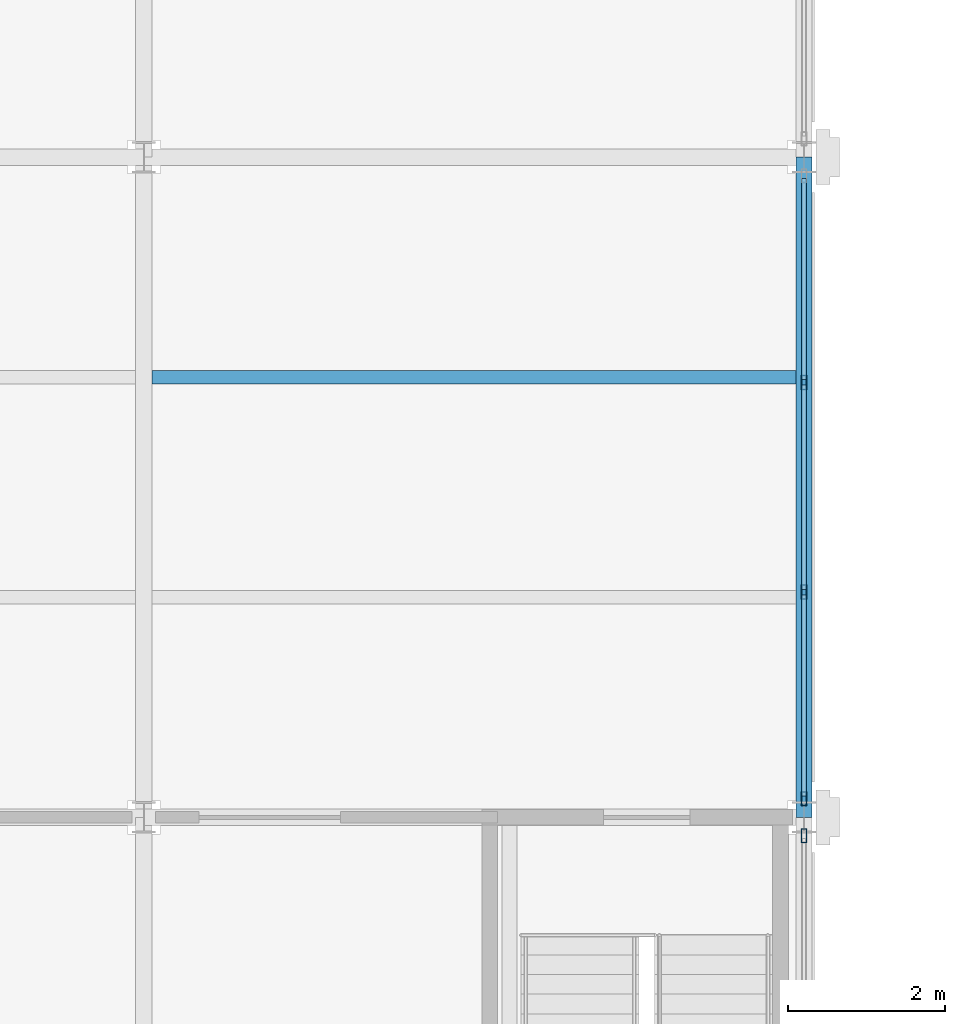
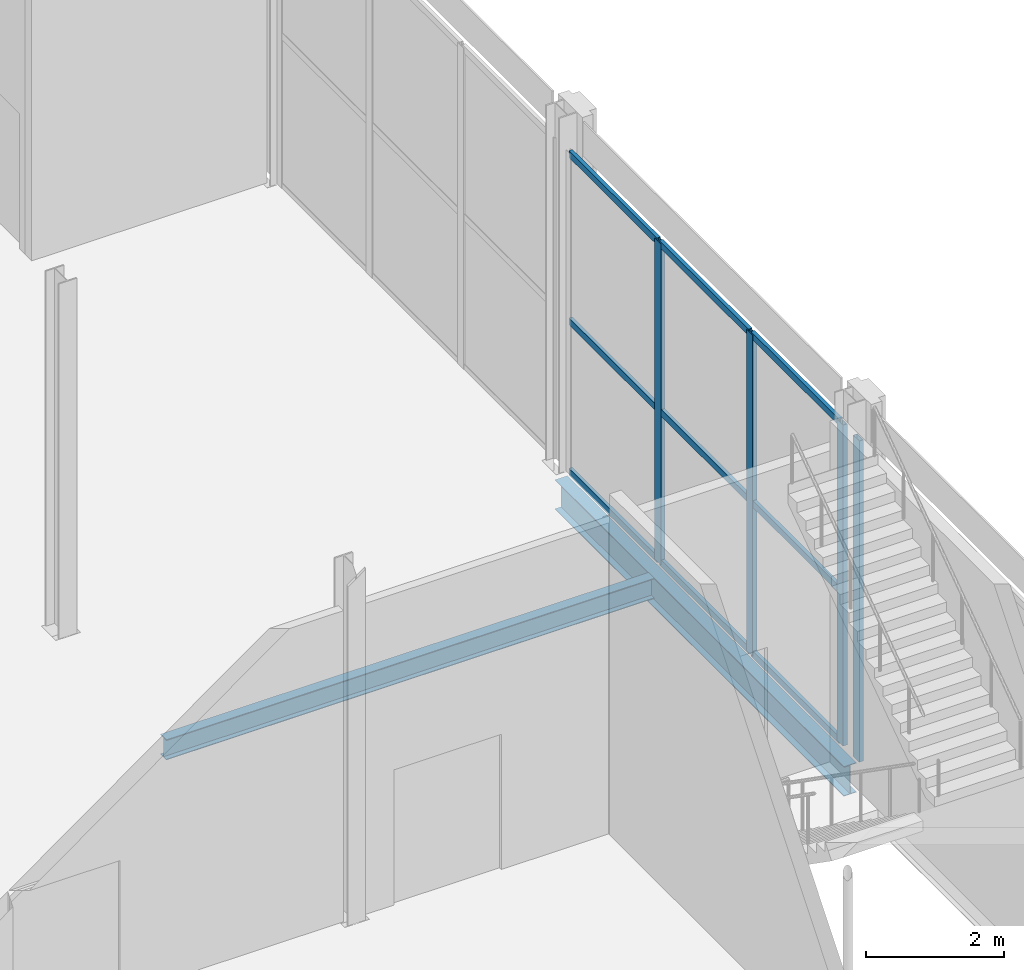
# One storey, part 34 of 77: 13 members, 2 beams, 2 elements without a shape of their own.
"""IFC4 building model written with IfcOpenShell, lengths in metres."""

from ifc_helpers import new_model, si_unit, direction, frame, origin, origin_2d, place, context, subcontext, project, spatial, hollow_rectangle, i_section, extrude, material, material_profile, profile_set, type_object, element, aggregate, save


model = new_model("IFC4")

# Units and contexts
model_context = context("Model", 3, precision=1e-05, world=origin(), true_north=direction((0.0, 1.0)))
body_context = subcontext(model_context, "Body", "Model", "MODEL_VIEW")
ifc_project = project(units=[si_unit("LENGTHUNIT", "METRE"), si_unit("AREAUNIT", "SQUARE_METRE"), si_unit("VOLUMEUNIT", "CUBIC_METRE"), si_unit("PLANEANGLEUNIT", "RADIAN"), si_unit("MASSUNIT", "GRAM", prefix="KILO")], contexts=[model_context])

# Site, building, storey
site_placement = place(None, origin())
site = spatial("IfcSite", under=ifc_project, at=site_placement, CompositionType="ELEMENT")
building_placement = place(site_placement, origin())
building = spatial("IfcBuilding", under=site, at=building_placement, Name="Catenary Quay Ferry Terminal", CompositionType="ELEMENT")
storey_placement = place(building_placement, frame((0.0, 0.0, 10.800048828125)))
storey = spatial("IfcBuildingStorey", under=building, at=storey_placement, Name="L02", CompositionType="ELEMENT", Elevation=10.800048828125)

# Beams
ifc_material_1 = material(Name="Steel S355", Category="steel")
ifc_material_profile_1 = material_profile(ifc_material_1, i_section(OverallWidth=0.208740234375, OverallDepth=0.5283203125, WebThickness=0.009521484375, FlangeThickness=0.01318359375, at=origin_2d()), Name="UB 533x210x82")
ifc_profile_set_1 = profile_set([ifc_material_profile_1], Name="Steel S355")
beam_type_1 = type_object("IfcBeamType", Name="B5 UB 533x210x82", PredefinedType="BEAM", material=ifc_profile_set_1)
beam_1_placement = place(storey_placement, frame((67.199951171875, 176.39990234375, -0.51416015625), z_axis=(0.0, 1.0, 0.0), x_axis=(-1.0, 0.0, 0.0)))
element("IfcBeam", 1, at=beam_1_placement, inside=storey, type_object=beam_type_1, Name="Beam B5-046", PredefinedType="BEAM", context=body_context, shape_type="SweptSolid", body=[
    extrude(i_section(OverallWidth=0.208740234375, OverallDepth=0.5283203125, WebThickness=0.009521484375, FlangeThickness=0.01318359375, at=origin_2d()), origin(), (0.0, 0.0, 1.0), 8.400146484375),
])
ifc_material_2 = material(Name="Steel S355", Category="steel")
ifc_material_profile_2 = material_profile(ifc_material_2, i_section(OverallWidth=0.169921875, OverallDepth=0.360107421875, WebThickness=0.008056640625, FlangeThickness=0.0126953125, at=origin_2d()), Name="IPE 360")
ifc_profile_set_2 = profile_set([ifc_material_profile_2], Name="Steel S355")
beam_type_2 = type_object("IfcBeamType", Name="B7 IPE 360", PredefinedType="BEAM", material=ifc_profile_set_2)
beam_2_placement = place(storey_placement, frame((58.904052734375, 182.0, -0.429931640625), z_axis=(1.0, 0.0, 0.0), x_axis=(0.0, 1.0, 0.0)))
element("IfcBeam", 2, at=beam_2_placement, inside=storey, type_object=beam_type_2, Name="Beam B7-024", PredefinedType="BEAM", context=body_context, shape_type="SweptSolid", body=[
    extrude(i_section(OverallWidth=0.169921875, OverallDepth=0.360107421875, WebThickness=0.008056640625, FlangeThickness=0.0126953125, at=origin_2d()), origin(), (0.0, 0.0, 1.0), 8.19189453125),
])

# Curtain wall, member
ifc_material_3 = material(Name="Aluminium and glass", Category="aluminium")
curtain_wall_type = type_object("IfcCurtainWallType", Name="CWW2", PredefinedType="NOTDEFINED", material=ifc_material_3)
curtain_wall_1_placement = place(storey_placement, origin())
curtain_wall_1 = element("IfcCurtainWall", 3, at=curtain_wall_1_placement, inside=storey, type_object=curtain_wall_type, Name="Wing curtain wall CW131", PredefinedType="NOTDEFINED")
ifc_material_4 = material(Name="Aluminium", Category="aluminium")
ifc_material_profile_3 = material_profile(ifc_material_4, hollow_rectangle(XDim=0.070068359375, YDim=0.179931640625, WallThickness=0.006103515625, at=origin_2d()), Name="MU3")
ifc_profile_set_3 = profile_set([ifc_material_profile_3], Name="Aluminium")
member_type_1 = type_object("IfcMemberType", Name="MU3", PredefinedType="MULLION", material=ifc_profile_set_3)
member_1_placement = place(storey_placement, frame((67.199951171875, 176.1650390625, 0.0), z_axis=(0.0, 0.0, 1.0), x_axis=(-1.0, 0.0, 0.0)))
member_1 = element("IfcMember", 4, at=member_1_placement, type_object=member_type_1, Name="CW131 mullion 4", PredefinedType="MULLION", context=body_context, shape_type="SweptSolid", body=[
    extrude(hollow_rectangle(XDim=0.070068359375, YDim=0.179931640625, WallThickness=0.006103515625, at=origin_2d()), origin(), (0.0, 0.0, 1.0), 5.699951171875),
])
aggregate(curtain_wall_1, [member_1])

# Curtain wall, members
curtain_wall_2_placement = place(storey_placement, origin())
curtain_wall_2 = element("IfcCurtainWall", 5, at=curtain_wall_2_placement, inside=storey, type_object=curtain_wall_type, Name="Wing curtain wall CW132", PredefinedType="NOTDEFINED")
member_2_placement = place(storey_placement, frame((67.199951171875, 176.635009765625, 0.0), z_axis=(0.0, 0.0, 1.0), x_axis=(-1.0, 0.0, 0.0)))
member_2 = element("IfcMember", 6, at=member_2_placement, type_object=member_type_1, Name="CW132 mullion 1", PredefinedType="MULLION", context=body_context, shape_type="SweptSolid", body=[
    extrude(hollow_rectangle(XDim=0.070068359375, YDim=0.179931640625, WallThickness=0.006103515625, at=origin_2d()), origin(), (0.0, 0.0, 1.0), 5.699951171875),
])
member_3_placement = place(storey_placement, frame((67.199951171875, 179.2666015625, 0.0), z_axis=(0.0, 0.0, 1.0), x_axis=(-1.0, 0.0, 0.0)))
member_3 = element("IfcMember", 7, at=member_3_placement, type_object=member_type_1, Name="CW132 mullion 2", PredefinedType="MULLION", context=body_context, shape_type="SweptSolid", body=[
    extrude(hollow_rectangle(XDim=0.070068359375, YDim=0.179931640625, WallThickness=0.006103515625, at=origin_2d()), origin(), (0.0, 0.0, 1.0), 5.699951171875),
])
member_4_placement = place(storey_placement, frame((67.199951171875, 181.933349609375, 0.0), z_axis=(0.0, 0.0, 1.0), x_axis=(-1.0, 0.0, 0.0)))
member_4 = element("IfcMember", 8, at=member_4_placement, type_object=member_type_1, Name="CW132 mullion 3", PredefinedType="MULLION", context=body_context, shape_type="SweptSolid", body=[
    extrude(hollow_rectangle(XDim=0.070068359375, YDim=0.179931640625, WallThickness=0.006103515625, at=origin_2d()), origin(), (0.0, 0.0, 1.0), 5.699951171875),
])
ifc_material_5 = material(Name="Aluminium", Category="aluminium")
ifc_material_profile_4 = material_profile(ifc_material_5, hollow_rectangle(XDim=0.06005859375, YDim=0.1201171875, WallThickness=0.0048828125, at=origin_2d()), Name="TR3")
ifc_profile_set_4 = profile_set([ifc_material_profile_4], Name="Aluminium")
member_type_2 = type_object("IfcMemberType", Name="TR3", PredefinedType="USERDEFINED", material=ifc_profile_set_4)
member_5_placement = place(storey_placement, frame((67.199951171875, 176.669921875, 0.030029296875), z_axis=(0.0, 1.0, 0.0), x_axis=(-1.0, 0.0, 0.0)))
member_5 = element("IfcMember", 9, at=member_5_placement, type_object=member_type_2, Name="CW132 transom 1.1", ObjectType="TRANSOM", PredefinedType="USERDEFINED", context=body_context, shape_type="SweptSolid", body=[
    extrude(hollow_rectangle(XDim=0.06005859375, YDim=0.1201171875, WallThickness=0.0048828125, at=origin_2d()), origin(), (0.0, 0.0, 1.0), 2.561767578125),
])
member_6_placement = place(storey_placement, frame((67.199951171875, 176.669921875, 2.699951171875), z_axis=(0.0, 1.0, 0.0), x_axis=(-1.0, 0.0, 0.0)))
member_6 = element("IfcMember", 10, at=member_6_placement, type_object=member_type_2, Name="CW132 transom 1.2", ObjectType="TRANSOM", PredefinedType="USERDEFINED", context=body_context, shape_type="SweptSolid", body=[
    extrude(hollow_rectangle(XDim=0.06005859375, YDim=0.1201171875, WallThickness=0.0048828125, at=origin_2d()), origin(), (0.0, 0.0, 1.0), 2.561767578125),
])
member_7_placement = place(storey_placement, frame((67.199951171875, 176.669921875, 5.669921875), z_axis=(0.0, 1.0, 0.0), x_axis=(-1.0, 0.0, 0.0)))
member_7 = element("IfcMember", 11, at=member_7_placement, type_object=member_type_2, Name="CW132 transom 1.3", ObjectType="TRANSOM", PredefinedType="USERDEFINED", context=body_context, shape_type="SweptSolid", body=[
    extrude(hollow_rectangle(XDim=0.06005859375, YDim=0.1201171875, WallThickness=0.0048828125, at=origin_2d()), origin(), (0.0, 0.0, 1.0), 2.561767578125),
])
member_8_placement = place(storey_placement, frame((67.199951171875, 179.3017578125, 0.030029296875), z_axis=(0.0, 1.0, 0.0), x_axis=(-1.0, 0.0, 0.0)))
member_8 = element("IfcMember", 12, at=member_8_placement, type_object=member_type_2, Name="CW132 transom 2.1", ObjectType="TRANSOM", PredefinedType="USERDEFINED", context=body_context, shape_type="SweptSolid", body=[
    extrude(hollow_rectangle(XDim=0.06005859375, YDim=0.1201171875, WallThickness=0.0048828125, at=origin_2d()), origin(), (0.0, 0.0, 1.0), 2.5966796875),
])
member_9_placement = place(storey_placement, frame((67.199951171875, 179.3017578125, 2.699951171875), z_axis=(0.0, 1.0, 0.0), x_axis=(-1.0, 0.0, 0.0)))
member_9 = element("IfcMember", 13, at=member_9_placement, type_object=member_type_2, Name="CW132 transom 2.2", ObjectType="TRANSOM", PredefinedType="USERDEFINED", context=body_context, shape_type="SweptSolid", body=[
    extrude(hollow_rectangle(XDim=0.06005859375, YDim=0.1201171875, WallThickness=0.0048828125, at=origin_2d()), origin(), (0.0, 0.0, 1.0), 2.5966796875),
])
member_10_placement = place(storey_placement, frame((67.199951171875, 179.3017578125, 5.669921875), z_axis=(0.0, 1.0, 0.0), x_axis=(-1.0, 0.0, 0.0)))
member_10 = element("IfcMember", 14, at=member_10_placement, type_object=member_type_2, Name="CW132 transom 2.3", ObjectType="TRANSOM", PredefinedType="USERDEFINED", context=body_context, shape_type="SweptSolid", body=[
    extrude(hollow_rectangle(XDim=0.06005859375, YDim=0.1201171875, WallThickness=0.0048828125, at=origin_2d()), origin(), (0.0, 0.0, 1.0), 2.5966796875),
])
member_11_placement = place(storey_placement, frame((67.199951171875, 181.96826171875, 0.030029296875), z_axis=(0.0, 1.0, 0.0), x_axis=(-1.0, 0.0, 0.0)))
member_11 = element("IfcMember", 15, at=member_11_placement, type_object=member_type_2, Name="CW132 transom 3.1", ObjectType="TRANSOM", PredefinedType="USERDEFINED", context=body_context, shape_type="SweptSolid", body=[
    extrude(hollow_rectangle(XDim=0.06005859375, YDim=0.1201171875, WallThickness=0.0048828125, at=origin_2d()), origin(), (0.0, 0.0, 1.0), 2.561767578125),
])
member_12_placement = place(storey_placement, frame((67.199951171875, 181.96826171875, 2.699951171875), z_axis=(0.0, 1.0, 0.0), x_axis=(-1.0, 0.0, 0.0)))
member_12 = element("IfcMember", 16, at=member_12_placement, type_object=member_type_2, Name="CW132 transom 3.2", ObjectType="TRANSOM", PredefinedType="USERDEFINED", context=body_context, shape_type="SweptSolid", body=[
    extrude(hollow_rectangle(XDim=0.06005859375, YDim=0.1201171875, WallThickness=0.0048828125, at=origin_2d()), origin(), (0.0, 0.0, 1.0), 2.561767578125),
])
member_13_placement = place(storey_placement, frame((67.199951171875, 181.96826171875, 5.669921875), z_axis=(0.0, 1.0, 0.0), x_axis=(-1.0, 0.0, 0.0)))
member_13 = element("IfcMember", 17, at=member_13_placement, type_object=member_type_2, Name="CW132 transom 3.3", ObjectType="TRANSOM", PredefinedType="USERDEFINED", context=body_context, shape_type="SweptSolid", body=[
    extrude(hollow_rectangle(XDim=0.06005859375, YDim=0.1201171875, WallThickness=0.0048828125, at=origin_2d()), origin(), (0.0, 0.0, 1.0), 2.561767578125),
])
aggregate(curtain_wall_2, [member_2, member_3, member_4, member_5, member_6, member_7, member_8, member_9, member_10, member_11, member_12, member_13])

save(model, "model.ifc")
